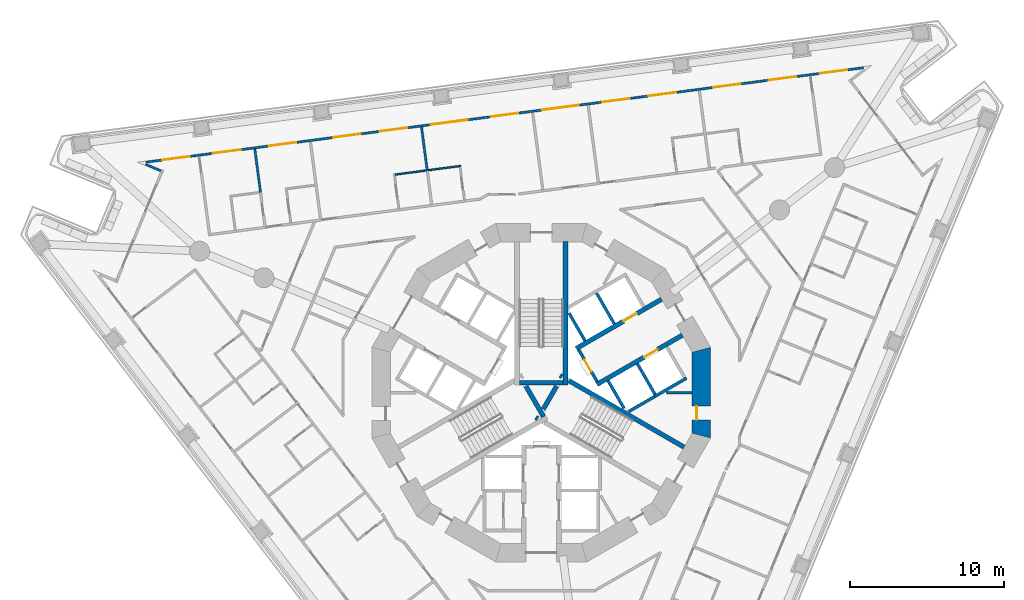
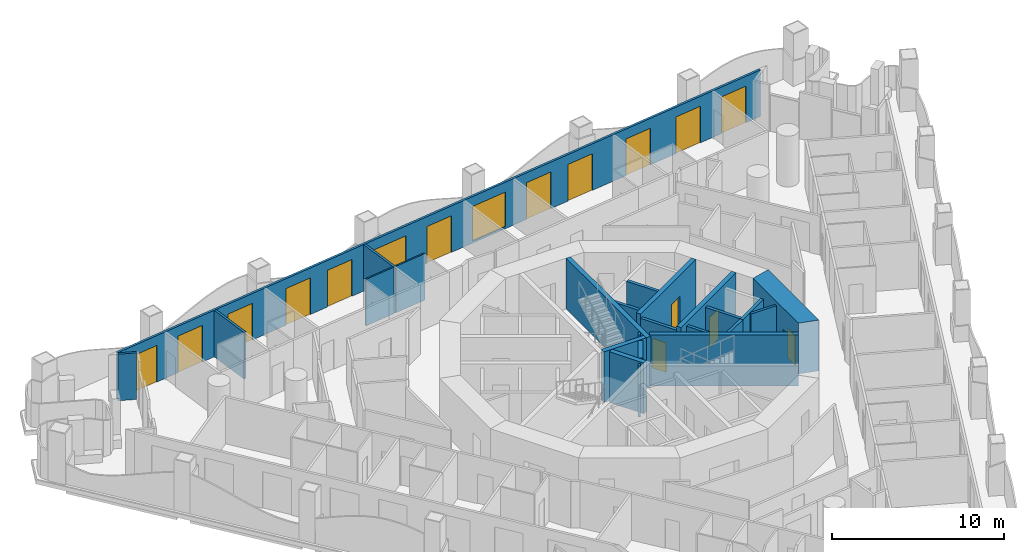
# One storey, part 8 of 19: 24 walls, 15 doors, 2 windows, 17 openings.
"""IFC4 building model written with IfcOpenShell, lengths in metres."""

from ifc_helpers import new_model, si_unit, direction, frame, frame_2d, origin, place, context, subcontext, project, spatial, polyline, rectangle, outline, extrude, material, layer, layer_set, type_object, element, fill, save


model = new_model("IFC4")

# Units and contexts
model_context = context("Model", 3, precision=1e-05, world=origin(), true_north=direction((0.0, 1.0)))
body_context = subcontext(model_context, "Body", "Model", "MODEL_VIEW")
ifc_project = project(units=[si_unit("LENGTHUNIT", "METRE"), si_unit("AREAUNIT", "SQUARE_METRE"), si_unit("VOLUMEUNIT", "CUBIC_METRE"), si_unit("PLANEANGLEUNIT", "RADIAN"), si_unit("MASSUNIT", "GRAM", prefix="KILO")], contexts=[model_context])

# Site, building, storey
site_placement = place(None, origin())
site = spatial("IfcSite", under=ifc_project, at=site_placement, CompositionType="ELEMENT")
building_placement = place(site_placement, origin())
building = spatial("IfcBuilding", under=site, at=building_placement, Name="Trine Commons Tower", CompositionType="ELEMENT")
storey_placement = place(building_placement, frame((0.0, 0.0, 64.800048828125)))
storey = spatial("IfcBuildingStorey", under=building, at=storey_placement, Name="L15", CompositionType="ELEMENT", Elevation=64.800048828125)

# Walls
ifc_material_1 = material(Name="Plasterboard partition on steel studs", Category="steel")
ifc_layer_1 = layer(ifc_material_1, 0.14990234375)
ifc_layer_set_1 = layer_set([ifc_layer_1], Name="Plasterboard partition on steel studs")
wall_type_1 = type_object("IfcWallType", Name="Core room partition 150 mm, EI 60", PredefinedType="PARTITIONING", material=ifc_layer_set_1)
wall_1_placement = place(storey_placement, frame((89.81201171875, 62.5, 0.0), z_axis=(0.0, 0.0, 1.0), x_axis=(-1.0, 0.0, 0.0)))
element("IfcWall", 1, at=wall_1_placement, inside=storey, type_object=wall_type_1, Name="Core room partition L15", PredefinedType="PARTITIONING", context=body_context, shape_type="SweptSolid", body=[
    extrude(rectangle(XDim=1.68310546875, YDim=0.14990234375, at=frame_2d((0.841552734375, 0.0))), origin(), (0.0, 0.0, 1.0), 3.300048828125),
])
ifc_material_2 = material(Name="Aluminium-framed insulated wall panel", Category="aluminium")
ifc_layer_2 = layer(ifc_material_2, 0.14990234375)
ifc_layer_set_2 = layer_set([ifc_layer_2], Name="Aluminium-framed insulated wall panel")
wall_type_2 = type_object("IfcWallType", Name="Glazed frame wall 150, EI 60", PredefinedType="SOLIDWALL", material=ifc_layer_set_2)
wall_2_placement = place(storey_placement, frame((55.376220703125, 76.883056640625, 0.0), z_axis=(0.0, 0.0, 1.0), x_axis=(-0.923901801611, 0.382629665579, 0.0)))
element("IfcWall", 2, at=wall_2_placement, inside=storey, type_object=wall_type_2, Name="Glazed frame wall R3", PredefinedType="SOLIDWALL", context=body_context, shape_type="SweptSolid", body=[
    extrude(outline(polyline([(0.110107421875, 0.074951171875), (0.110107421875, -0.074951171875), (1.19580078125, -0.074951171875), (1.19580078125, 0.074951171875), (0.110107421875, 0.074951171875)])), origin(), (0.0, 0.0, 1.0), 3.300048828125),
])

# Wall, openings, windows, doors
wall_3_placement = place(storey_placement, frame((54.142333984375, 77.464599609375, 0.0), z_axis=(0.0, 0.0, 1.0), x_axis=(0.991444696532, 0.130527444308, 0.0)))
wall_3 = element("IfcWall", 3, at=wall_3_placement, inside=storey, type_object=wall_type_2, Name="Glazed frame wall F1", PredefinedType="SOLIDWALL", context=body_context, shape_type="SweptSolid", body=[
    extrude(outline(polyline([(0.1494140625, 0.074951171875), (0.1494140625, -0.074951171875), (47.216796875, -0.074951171875), (47.216796875, 0.074951171875), (0.1494140625, 0.074951171875)])), origin(), (0.0, 0.0, 1.0), 3.300048828125),
])
opening_1_placement = place(wall_3_placement, frame((1.2216796875, 0.0, 0.0)))
opening_1 = element("IfcOpeningElement", 4, at=opening_1_placement, cuts=wall_3, Name="Opening BD-2F1-01", PredefinedType="OPENING", context=body_context, shape_type="SweptSolid", body=[
    extrude(rectangle(XDim=1.800048828125, YDim=2.60009765625, at=frame_2d((0.89990234375, 1.300048828125))), frame((0.0, 0.0849609375, 0.0), z_axis=(0.0, -1.0, 0.0), x_axis=(1.0, 0.0, 0.0)), (0.0, 0.0, 1.0), 0.169921875),
])
opening_2_placement = place(wall_3_placement, frame((4.5654296875, 0.0, 0.0)))
opening_2 = element("IfcOpeningElement", 5, at=opening_2_placement, cuts=wall_3, Name="Opening BD-2F1-02", PredefinedType="OPENING", context=body_context, shape_type="SweptSolid", body=[
    extrude(rectangle(XDim=1.800048828125, YDim=2.60009765625, at=frame_2d((0.89990234375, 1.300048828125))), frame((0.0, 0.0849609375, 0.0), z_axis=(0.0, -1.0, 0.0), x_axis=(1.0, 0.0, 0.0)), (0.0, 0.0, 1.0), 0.169921875),
])
opening_3_placement = place(wall_3_placement, frame((8.208984375, 0.0, 0.0)))
opening_3 = element("IfcOpeningElement", 6, at=opening_3_placement, cuts=wall_3, Name="Opening BD-2F1-03", PredefinedType="OPENING", context=body_context, shape_type="SweptSolid", body=[
    extrude(rectangle(XDim=1.800048828125, YDim=2.60009765625, at=frame_2d((0.89990234375, 1.300048828125))), frame((0.0, 0.0849609375, 0.0), z_axis=(0.0, -1.0, 0.0), x_axis=(1.0, 0.0, 0.0)), (0.0, 0.0, 1.0), 0.169921875),
])
opening_4_placement = place(wall_3_placement, frame((12.45263671875, 0.0, 0.0)))
opening_4 = element("IfcOpeningElement", 7, at=opening_4_placement, cuts=wall_3, Name="Opening BD-2F1-04", PredefinedType="OPENING", context=body_context, shape_type="SweptSolid", body=[
    extrude(rectangle(XDim=1.800048828125, YDim=2.60009765625, at=frame_2d((0.89990234375, 1.300048828125))), frame((0.0, 0.0849609375, 0.0), z_axis=(0.0, -1.0, 0.0), x_axis=(1.0, 0.0, 0.0)), (0.0, 0.0, 1.0), 0.169921875),
])
opening_5_placement = place(wall_3_placement, frame((15.49609375, 0.0, 0.0)))
opening_5 = element("IfcOpeningElement", 8, at=opening_5_placement, cuts=wall_3, Name="Opening BD-2F1-05", PredefinedType="OPENING", context=body_context, shape_type="SweptSolid", body=[
    extrude(rectangle(XDim=1.800048828125, YDim=2.60009765625, at=frame_2d((0.89990234375, 1.300048828125))), frame((0.0, 0.0849609375, 0.0), z_axis=(0.0, -1.0, 0.0), x_axis=(1.0, 0.0, 0.0)), (0.0, 0.0, 1.0), 0.169921875),
])
opening_6_placement = place(wall_3_placement, frame((18.83984375, 0.0, 0.14990234375)))
opening_6 = element("IfcOpeningElement", 9, at=opening_6_placement, cuts=wall_3, Name="Opening W-2F1-06", PredefinedType="OPENING", context=body_context, shape_type="SweptSolid", body=[
    extrude(rectangle(XDim=2.39990234375, YDim=2.449951171875, at=frame_2d((1.199951171875, 1.22509765625))), frame((0.0, 0.0849609375, 0.0), z_axis=(0.0, -1.0, 0.0), x_axis=(1.0, 0.0, 0.0)), (0.0, 0.0, 1.0), 0.169921875),
])
opening_7_placement = place(wall_3_placement, frame((22.783447265625, 0.0, 0.0)))
opening_7 = element("IfcOpeningElement", 10, at=opening_7_placement, cuts=wall_3, Name="Opening BD-2F1-07", PredefinedType="OPENING", context=body_context, shape_type="SweptSolid", body=[
    extrude(rectangle(XDim=1.800048828125, YDim=2.60009765625, at=frame_2d((0.89990234375, 1.300048828125))), frame((0.0, 0.0849609375, 0.0), z_axis=(0.0, -1.0, 0.0), x_axis=(1.0, 0.0, 0.0)), (0.0, 0.0, 1.0), 0.169921875),
])
opening_8_placement = place(wall_3_placement, frame((26.126953125, 0.0, 0.14990234375)))
opening_8 = element("IfcOpeningElement", 11, at=opening_8_placement, cuts=wall_3, Name="Opening W-2F1-08", PredefinedType="OPENING", context=body_context, shape_type="SweptSolid", body=[
    extrude(rectangle(XDim=2.39990234375, YDim=2.449951171875, at=frame_2d((1.199951171875, 1.22509765625))), frame((0.0, 0.0849609375, 0.0), z_axis=(0.0, -1.0, 0.0), x_axis=(1.0, 0.0, 0.0)), (0.0, 0.0, 1.0), 0.169921875),
])
opening_9_placement = place(wall_3_placement, frame((30.070556640625, 0.0, 0.0)))
opening_9 = element("IfcOpeningElement", 12, at=opening_9_placement, cuts=wall_3, Name="Opening BD-2F1-09", PredefinedType="OPENING", context=body_context, shape_type="SweptSolid", body=[
    extrude(rectangle(XDim=1.800048828125, YDim=2.60009765625, at=frame_2d((0.89990234375, 1.300048828125))), frame((0.0, 0.0849609375, 0.0), z_axis=(0.0, -1.0, 0.0), x_axis=(1.0, 0.0, 0.0)), (0.0, 0.0, 1.0), 0.169921875),
])
opening_10_placement = place(wall_3_placement, frame((33.1142578125, 0.0, 0.0)))
opening_10 = element("IfcOpeningElement", 13, at=opening_10_placement, cuts=wall_3, Name="Opening BD-2F1-10", PredefinedType="OPENING", context=body_context, shape_type="SweptSolid", body=[
    extrude(rectangle(XDim=1.800048828125, YDim=2.60009765625, at=frame_2d((0.89990234375, 1.300048828125))), frame((0.0, 0.0849609375, 0.0), z_axis=(0.0, -1.0, 0.0), x_axis=(1.0, 0.0, 0.0)), (0.0, 0.0, 1.0), 0.169921875),
])
opening_11_placement = place(wall_3_placement, frame((37.35791015625, 0.0, 0.0)))
opening_11 = element("IfcOpeningElement", 14, at=opening_11_placement, cuts=wall_3, Name="Opening BD-2F1-11", PredefinedType="OPENING", context=body_context, shape_type="SweptSolid", body=[
    extrude(rectangle(XDim=1.800048828125, YDim=2.60009765625, at=frame_2d((0.89990234375, 1.300048828125))), frame((0.0, 0.0849609375, 0.0), z_axis=(0.0, -1.0, 0.0), x_axis=(1.0, 0.0, 0.0)), (0.0, 0.0, 1.0), 0.169921875),
])
opening_12_placement = place(wall_3_placement, frame((41.00146484375, 0.0, 0.0)))
opening_12 = element("IfcOpeningElement", 15, at=opening_12_placement, cuts=wall_3, Name="Opening BD-2F1-12", PredefinedType="OPENING", context=body_context, shape_type="SweptSolid", body=[
    extrude(rectangle(XDim=1.800048828125, YDim=2.60009765625, at=frame_2d((0.89990234375, 1.300048828125))), frame((0.0, 0.0849609375, 0.0), z_axis=(0.0, -1.0, 0.0), x_axis=(1.0, 0.0, 0.0)), (0.0, 0.0, 1.0), 0.169921875),
])
opening_13_placement = place(wall_3_placement, frame((44.344970703125, 0.0, 0.0)))
opening_13 = element("IfcOpeningElement", 16, at=opening_13_placement, cuts=wall_3, Name="Opening BD-2F1-13", PredefinedType="OPENING", context=body_context, shape_type="SweptSolid", body=[
    extrude(rectangle(XDim=1.800048828125, YDim=2.60009765625, at=frame_2d((0.89990234375, 1.300048828125))), frame((0.0, 0.0849609375, 0.0), z_axis=(0.0, -1.0, 0.0), x_axis=(1.0, 0.0, 0.0)), (0.0, 0.0, 1.0), 0.169921875),
])
ifc_material_3 = material(Name="Anodised aluminium frame with double glazing", Category="aluminium")
window_type = type_object("IfcWindowType", Name="Fixed window 2400x2450", PartitioningType="SINGLE_PANEL", PredefinedType="WINDOW", material=ifc_material_3)
window_1_placement = place(opening_6_placement, origin())
window_1 = element("IfcWindow", 17, at=window_1_placement, inside=storey, type_object=window_type, Name="Window F1 6", OverallHeight=2.449951171875, OverallWidth=2.39990234375, PartitioningType="SINGLE_PANEL", PredefinedType="WINDOW", context=body_context, shape_type="SweptSolid", body=[
    extrude(rectangle(XDim=2.39990234375, YDim=2.449951171875, at=frame_2d((1.199951171875, 1.22509765625))), frame((0.0, 0.030029296875, 0.0), z_axis=(0.0, -1.0, 0.0), x_axis=(1.0, 0.0, 0.0)), (0.0, 0.0, 1.0), 0.06005859375),
])
fill(opening_6, window_1)
window_2_placement = place(opening_8_placement, origin())
window_2 = element("IfcWindow", 18, at=window_2_placement, inside=storey, type_object=window_type, Name="Window F1 8", OverallHeight=2.449951171875, OverallWidth=2.39990234375, PartitioningType="SINGLE_PANEL", PredefinedType="WINDOW", context=body_context, shape_type="SweptSolid", body=[
    extrude(rectangle(XDim=2.39990234375, YDim=2.449951171875, at=frame_2d((1.199951171875, 1.22509765625))), frame((0.0, 0.030029296875, 0.0), z_axis=(0.0, -1.0, 0.0), x_axis=(1.0, 0.0, 0.0)), (0.0, 0.0, 1.0), 0.06005859375),
])
fill(opening_8, window_2)
door_type_1 = type_object("IfcDoorType", Name="Sliding loggia door 1800x2600", OperationType="SLIDING_TO_LEFT", PredefinedType="DOOR", material=ifc_material_3)
door_1_placement = place(opening_1_placement, origin())
door_1 = element("IfcDoor", 19, at=door_1_placement, inside=storey, type_object=door_type_1, Name="Loggia door F1 1", OperationType="SLIDING_TO_LEFT", OverallHeight=2.60009765625, OverallWidth=1.800048828125, PredefinedType="DOOR", context=body_context, shape_type="SweptSolid", body=[
    extrude(rectangle(XDim=1.800048828125, YDim=2.60009765625, at=frame_2d((0.89990234375, 1.300048828125))), frame((0.0, 0.02490234375, 0.0), z_axis=(0.0, -1.0, 0.0), x_axis=(1.0, 0.0, 0.0)), (0.0, 0.0, 1.0), 0.050048828125),
])
fill(opening_1, door_1)
door_2_placement = place(opening_2_placement, origin())
door_2 = element("IfcDoor", 20, at=door_2_placement, inside=storey, type_object=door_type_1, Name="Loggia door F1 2", OperationType="SLIDING_TO_LEFT", OverallHeight=2.60009765625, OverallWidth=1.800048828125, PredefinedType="DOOR", context=body_context, shape_type="SweptSolid", body=[
    extrude(rectangle(XDim=1.800048828125, YDim=2.60009765625, at=frame_2d((0.89990234375, 1.300048828125))), frame((0.0, 0.02490234375, 0.0), z_axis=(0.0, -1.0, 0.0), x_axis=(1.0, 0.0, 0.0)), (0.0, 0.0, 1.0), 0.050048828125),
])
fill(opening_2, door_2)
door_3_placement = place(opening_3_placement, origin())
door_3 = element("IfcDoor", 21, at=door_3_placement, inside=storey, type_object=door_type_1, Name="Loggia door F1 3", OperationType="SLIDING_TO_LEFT", OverallHeight=2.60009765625, OverallWidth=1.800048828125, PredefinedType="DOOR", context=body_context, shape_type="SweptSolid", body=[
    extrude(rectangle(XDim=1.800048828125, YDim=2.60009765625, at=frame_2d((0.89990234375, 1.300048828125))), frame((0.0, 0.02490234375, 0.0), z_axis=(0.0, -1.0, 0.0), x_axis=(1.0, 0.0, 0.0)), (0.0, 0.0, 1.0), 0.050048828125),
])
fill(opening_3, door_3)
door_4_placement = place(opening_4_placement, origin())
door_4 = element("IfcDoor", 22, at=door_4_placement, inside=storey, type_object=door_type_1, Name="Loggia door F1 4", OperationType="SLIDING_TO_LEFT", OverallHeight=2.60009765625, OverallWidth=1.800048828125, PredefinedType="DOOR", context=body_context, shape_type="SweptSolid", body=[
    extrude(rectangle(XDim=1.800048828125, YDim=2.60009765625, at=frame_2d((0.89990234375, 1.300048828125))), frame((0.0, 0.02490234375, 0.0), z_axis=(0.0, -1.0, 0.0), x_axis=(1.0, 0.0, 0.0)), (0.0, 0.0, 1.0), 0.050048828125),
])
fill(opening_4, door_4)
door_5_placement = place(opening_5_placement, origin())
door_5 = element("IfcDoor", 23, at=door_5_placement, inside=storey, type_object=door_type_1, Name="Loggia door F1 5", OperationType="SLIDING_TO_LEFT", OverallHeight=2.60009765625, OverallWidth=1.800048828125, PredefinedType="DOOR", context=body_context, shape_type="SweptSolid", body=[
    extrude(rectangle(XDim=1.800048828125, YDim=2.60009765625, at=frame_2d((0.89990234375, 1.300048828125))), frame((0.0, 0.02490234375, 0.0), z_axis=(0.0, -1.0, 0.0), x_axis=(1.0, 0.0, 0.0)), (0.0, 0.0, 1.0), 0.050048828125),
])
fill(opening_5, door_5)
door_6_placement = place(opening_7_placement, origin())
door_6 = element("IfcDoor", 24, at=door_6_placement, inside=storey, type_object=door_type_1, Name="Loggia door F1 7", OperationType="SLIDING_TO_LEFT", OverallHeight=2.60009765625, OverallWidth=1.800048828125, PredefinedType="DOOR", context=body_context, shape_type="SweptSolid", body=[
    extrude(rectangle(XDim=1.800048828125, YDim=2.60009765625, at=frame_2d((0.89990234375, 1.300048828125))), frame((0.0, 0.02490234375, 0.0), z_axis=(0.0, -1.0, 0.0), x_axis=(1.0, 0.0, 0.0)), (0.0, 0.0, 1.0), 0.050048828125),
])
fill(opening_7, door_6)
door_7_placement = place(opening_9_placement, origin())
door_7 = element("IfcDoor", 25, at=door_7_placement, inside=storey, type_object=door_type_1, Name="Loggia door F1 9", OperationType="SLIDING_TO_LEFT", OverallHeight=2.60009765625, OverallWidth=1.800048828125, PredefinedType="DOOR", context=body_context, shape_type="SweptSolid", body=[
    extrude(rectangle(XDim=1.800048828125, YDim=2.60009765625, at=frame_2d((0.89990234375, 1.300048828125))), frame((0.0, 0.02490234375, 0.0), z_axis=(0.0, -1.0, 0.0), x_axis=(1.0, 0.0, 0.0)), (0.0, 0.0, 1.0), 0.050048828125),
])
fill(opening_9, door_7)
door_8_placement = place(opening_10_placement, origin())
door_8 = element("IfcDoor", 26, at=door_8_placement, inside=storey, type_object=door_type_1, Name="Loggia door F1 10", OperationType="SLIDING_TO_LEFT", OverallHeight=2.60009765625, OverallWidth=1.800048828125, PredefinedType="DOOR", context=body_context, shape_type="SweptSolid", body=[
    extrude(rectangle(XDim=1.800048828125, YDim=2.60009765625, at=frame_2d((0.89990234375, 1.300048828125))), frame((0.0, 0.02490234375, 0.0), z_axis=(0.0, -1.0, 0.0), x_axis=(1.0, 0.0, 0.0)), (0.0, 0.0, 1.0), 0.050048828125),
])
fill(opening_10, door_8)
door_9_placement = place(opening_11_placement, origin())
door_9 = element("IfcDoor", 27, at=door_9_placement, inside=storey, type_object=door_type_1, Name="Loggia door F1 11", OperationType="SLIDING_TO_LEFT", OverallHeight=2.60009765625, OverallWidth=1.800048828125, PredefinedType="DOOR", context=body_context, shape_type="SweptSolid", body=[
    extrude(rectangle(XDim=1.800048828125, YDim=2.60009765625, at=frame_2d((0.89990234375, 1.300048828125))), frame((0.0, 0.02490234375, 0.0), z_axis=(0.0, -1.0, 0.0), x_axis=(1.0, 0.0, 0.0)), (0.0, 0.0, 1.0), 0.050048828125),
])
fill(opening_11, door_9)
door_10_placement = place(opening_12_placement, origin())
door_10 = element("IfcDoor", 28, at=door_10_placement, inside=storey, type_object=door_type_1, Name="Loggia door F1 12", OperationType="SLIDING_TO_LEFT", OverallHeight=2.60009765625, OverallWidth=1.800048828125, PredefinedType="DOOR", context=body_context, shape_type="SweptSolid", body=[
    extrude(rectangle(XDim=1.800048828125, YDim=2.60009765625, at=frame_2d((0.89990234375, 1.300048828125))), frame((0.0, 0.02490234375, 0.0), z_axis=(0.0, -1.0, 0.0), x_axis=(1.0, 0.0, 0.0)), (0.0, 0.0, 1.0), 0.050048828125),
])
fill(opening_12, door_10)
door_11_placement = place(opening_13_placement, origin())
door_11 = element("IfcDoor", 29, at=door_11_placement, inside=storey, type_object=door_type_1, Name="Loggia door F1 13", OperationType="SLIDING_TO_LEFT", OverallHeight=2.60009765625, OverallWidth=1.800048828125, PredefinedType="DOOR", context=body_context, shape_type="SweptSolid", body=[
    extrude(rectangle(XDim=1.800048828125, YDim=2.60009765625, at=frame_2d((0.89990234375, 1.300048828125))), frame((0.0, 0.02490234375, 0.0), z_axis=(0.0, -1.0, 0.0), x_axis=(1.0, 0.0, 0.0)), (0.0, 0.0, 1.0), 0.050048828125),
])
fill(opening_13, door_11)

# Wall, opening, door
ifc_material_4 = material(Name="Fire-rated gypsum shaft wall system")
ifc_layer_3 = layer(ifc_material_4, 0.199951171875)
ifc_layer_set_3 = layer_set([ifc_layer_3], Name="Fire-rated gypsum shaft wall system")
wall_type_3 = type_object("IfcWallType", Name="Lobby end wall 200 mm, EI 120", PredefinedType="PARTITIONING", material=ifc_layer_set_3)
wall_4_placement = place(storey_placement, frame((83.631103515625, 63.2109375, 0.0), z_axis=(0.0, 0.0, 1.0), x_axis=(-0.50012165622, 0.865955154139, 0.0)))
wall_4 = element("IfcWall", 30, at=wall_4_placement, inside=storey, type_object=wall_type_3, Name="Lobby end wall L15", PredefinedType="PARTITIONING", context=body_context, shape_type="SweptSolid", body=[
    extrude(rectangle(XDim=2.39990234375, YDim=0.199951171875, at=frame_2d((1.199951171875, 0.0))), origin(), (0.0, 0.0, 1.0), 3.300048828125),
])
opening_14_placement = place(wall_4_placement, frame((0.749755859375, 0.0, 0.0)))
opening_14 = element("IfcOpeningElement", 31, at=opening_14_placement, cuts=wall_4, Name="Opening K06.05", PredefinedType="OPENING", context=body_context, shape_type="SweptSolid", body=[
    extrude(rectangle(XDim=0.89990234375, YDim=2.10009765625, at=frame_2d((0.449951171875, 1.050048828125))), frame((0.0, 0.10986328125, 0.0), z_axis=(0.0, -1.0, 0.0), x_axis=(1.0, 0.0, 0.0)), (0.0, 0.0, 1.0), 0.219970703125),
])
ifc_material_5 = material(Name="Steel door leaf, fire-rated", Category="steel")
door_type_2 = type_object("IfcDoorType", Name="Riser access door, single leaf 900 x 2100, FD60", OperationType="SINGLE_SWING_LEFT", PredefinedType="DOOR", material=ifc_material_5)
door_12_placement = place(opening_14_placement, frame((0.89990234375, 0.0, 0.0), z_axis=(0.0, 0.0, 1.0), x_axis=(-1.0, 0.0, 0.0)))
door_12 = element("IfcDoor", 32, at=door_12_placement, inside=storey, type_object=door_type_2, Name="Riser door, Electrical riser L15", OperationType="SINGLE_SWING_LEFT", OverallHeight=2.10009765625, OverallWidth=0.89990234375, PredefinedType="DOOR", context=body_context, shape_type="SweptSolid", body=[
    extrude(rectangle(XDim=0.89990234375, YDim=2.10009765625, at=frame_2d((0.449951171875, 1.050048828125))), frame((0.0, 0.02490234375, 0.0), z_axis=(0.0, -1.0, 0.0), x_axis=(1.0, 0.0, 0.0)), (0.0, 0.0, 1.0), 0.050048828125),
])
fill(opening_14, door_12)

ifc_material_6 = material(Name="Concrete C80/95", Category="concrete")
ifc_layer_4 = layer(ifc_material_6, 1.199951171875)
ifc_layer_set_4 = layer_set([ifc_layer_4], Name="Concrete C80/95")
wall_type_4 = type_object("IfcWallType", Name="RC shear wall 1200 mm, C80/95", PredefinedType="SHEAR", material=ifc_layer_set_4)
wall_5_placement = place(storey_placement, frame((90.41162109375, 59.549560546875, 0.0), z_axis=(0.0, 0.0, 1.0), x_axis=(0.0, 1.0, 0.0)))
wall_5 = element("IfcWall", 33, at=wall_5_placement, inside=storey, type_object=wall_type_4, Name="Core wall CWB-01 L15", PredefinedType="SHEAR", context=body_context, shape_type="SweptSolid", body=[
    extrude(outline(polyline([(0.0, -0.60009765625), (5.90087890625, -0.60009765625), (5.57958984375, 0.60009765625), (0.321533203125, 0.60009765625), (0.0, -0.60009765625)])), origin(), (0.0, 0.0, 1.0), 3.599853515625),
])
opening_15_placement = place(wall_5_placement, frame((1.175537109375, 0.0, 0.0)))
opening_15 = element("IfcOpeningElement", 34, at=opening_15_placement, cuts=wall_5, Name="Opening K06.17", PredefinedType="OPENING", context=body_context, shape_type="SweptSolid", body=[
    extrude(rectangle(XDim=0.89990234375, YDim=2.10009765625, at=frame_2d((0.449951171875, 1.050048828125))), frame((0.0, 0.60986328125, 0.0), z_axis=(0.0, -1.0, 0.0), x_axis=(1.0, 0.0, 0.0)), (0.0, 0.0, 1.0), 1.219970703125),
])
door_type_3 = type_object("IfcDoorType", Name="Core room door, single leaf 900 x 2100, FD30S", OperationType="SINGLE_SWING_LEFT", PredefinedType="DOOR", material=ifc_material_5)
door_13_placement = place(opening_15_placement, origin())
door_13 = element("IfcDoor", 35, at=door_13_placement, inside=storey, type_object=door_type_3, Name="Door to Linen store L15", OperationType="SINGLE_SWING_LEFT", OverallHeight=2.10009765625, OverallWidth=0.89990234375, PredefinedType="DOOR", context=body_context, shape_type="SweptSolid", body=[
    extrude(rectangle(XDim=0.89990234375, YDim=2.10009765625, at=frame_2d((0.449951171875, 1.050048828125))), frame((0.0, 0.3251953125, 0.0), z_axis=(0.0, -1.0, 0.0), x_axis=(1.0, 0.0, 0.0)), (0.0, 0.0, 1.0), 0.050048828125),
])
fill(opening_15, door_13)

ifc_layer_5 = layer(ifc_material_6, 0.300048828125)
ifc_layer_set_5 = layer_set([ifc_layer_5], Name="Concrete C80/95")
wall_type_5 = type_object("IfcWallType", Name="RC shear wall 300 mm, C80/95", PredefinedType="SHEAR", material=ifc_layer_set_5)
wall_6_placement = place(storey_placement, frame((82.26904296875, 65.368896484375, 0.0), z_axis=(0.0, 0.0, 1.0), x_axis=(0.866022631842, 0.500004801114, 0.0)))
wall_6 = element("IfcWall", 36, at=wall_6_placement, inside=storey, type_object=wall_type_5, Name="Core cross wall SWA-05 L15", PredefinedType="SHEAR", context=body_context, shape_type="SweptSolid", body=[
    extrude(rectangle(XDim=6.412109375, YDim=0.300048828125, at=frame_2d((3.2060546875, 0.0))), origin(), (0.0, 0.0, 1.0), 3.599853515625),
])
opening_16_placement = place(wall_6_placement, frame((3.55029296875, 0.0, 0.0)))
opening_16 = element("IfcOpeningElement", 37, at=opening_16_placement, cuts=wall_6, Name="Opening LD1", PredefinedType="OPENING", context=body_context, shape_type="SweptSolid", body=[
    extrude(rectangle(XDim=1.0, YDim=2.10009765625, at=frame_2d((0.5, 1.050048828125))), frame((0.0, 0.159912109375, 0.0), z_axis=(0.0, -1.0, 0.0), x_axis=(1.0, 0.0, 0.0)), (0.0, 0.0, 1.0), 0.320068359375),
])
ifc_material_7 = material(Name="Stainless steel sliding door leaves", Category="steel")
door_type_4 = type_object("IfcDoorType", Name="Lift landing door, centre-opening sliding 1000 x 2100, FD90", OperationType="DOUBLE_DOOR_SLIDING", PredefinedType="DOOR", material=ifc_material_7)
door_14_placement = place(opening_16_placement, origin())
door_14 = element("IfcDoor", 38, at=door_14_placement, inside=storey, type_object=door_type_4, Name="Lift landing door LR1 L15", OperationType="DOUBLE_DOOR_SLIDING", OverallHeight=2.10009765625, OverallWidth=1.0, PredefinedType="DOOR", context=body_context, shape_type="SweptSolid", body=[
    extrude(rectangle(XDim=1.0, YDim=2.10009765625, at=frame_2d((0.5, 1.050048828125))), frame((0.0, 0.02490234375, 0.0), z_axis=(0.0, -1.0, 0.0), x_axis=(1.0, 0.0, 0.0)), (0.0, 0.0, 1.0), 0.050048828125),
])
fill(opening_16, door_14)

wall_7_placement = place(storey_placement, frame((83.618896484375, 63.031005859375, 0.0), z_axis=(0.0, 0.0, 1.0), x_axis=(0.866032150378, 0.499988314375, 0.0)))
wall_7 = element("IfcWall", 39, at=wall_7_placement, inside=storey, type_object=wall_type_5, Name="Core cross wall SWA-06 L15", PredefinedType="SHEAR", context=body_context, shape_type="SweptSolid", body=[
    extrude(rectangle(XDim=6.412353515625, YDim=0.300048828125, at=frame_2d((3.2060546875, 0.0))), origin(), (0.0, 0.0, 1.0), 3.599853515625),
])
opening_17_placement = place(wall_7_placement, frame((3.55029296875, 0.0, 0.0)))
opening_17 = element("IfcOpeningElement", 40, at=opening_17_placement, cuts=wall_7, Name="Opening LD2", PredefinedType="OPENING", context=body_context, shape_type="SweptSolid", body=[
    extrude(rectangle(XDim=1.0, YDim=2.10009765625, at=frame_2d((0.5, 1.050048828125))), frame((0.0, 0.159912109375, 0.0), z_axis=(0.0, -1.0, 0.0), x_axis=(1.0, 0.0, 0.0)), (0.0, 0.0, 1.0), 0.320068359375),
])
door_15_placement = place(opening_17_placement, origin())
door_15 = element("IfcDoor", 41, at=door_15_placement, inside=storey, type_object=door_type_4, Name="Lift landing door LR2 L15", OperationType="DOUBLE_DOOR_SLIDING", OverallHeight=2.10009765625, OverallWidth=1.0, PredefinedType="DOOR", context=body_context, shape_type="SweptSolid", body=[
    extrude(rectangle(XDim=1.0, YDim=2.10009765625, at=frame_2d((0.5, 1.050048828125))), frame((0.0, 0.02490234375, 0.0), z_axis=(0.0, -1.0, 0.0), x_axis=(1.0, 0.0, 0.0)), (0.0, 0.0, 1.0), 0.050048828125),
])
fill(opening_17, door_15)

# Walls
wall_8_placement = place(storey_placement, frame((79.0029296875, 62.926025390625, 0.0), z_axis=(0.0, 0.0, 1.0), x_axis=(0.499965247104, -0.866045467449, 0.0)))
element("IfcWall", 42, at=wall_8_placement, inside=storey, type_object=wall_type_5, Name="Core cross wall SWA-10 L15", PredefinedType="SHEAR", context=body_context, shape_type="SweptSolid", body=[
    extrude(rectangle(XDim=2.292236328125, YDim=0.300048828125, at=frame_2d((1.14599609375, 0.0))), origin(), (0.0, 0.0, 1.0), 3.599853515625),
])
wall_9_placement = place(storey_placement, frame((79.64599609375, 60.885986328125, 0.0), z_axis=(0.0, 0.0, 1.0), x_axis=(0.867331893649, -0.497730234424, 0.0)))
element("IfcWall", 43, at=wall_9_placement, inside=storey, type_object=wall_type_5, Name="Core cross wall SWA-11 L15", PredefinedType="SHEAR", context=body_context, shape_type="SweptSolid", body=[
    extrude(rectangle(XDim=0.148681640625, YDim=0.300048828125, at=frame_2d((0.07421875, 0.0))), origin(), (0.0, 0.0, 1.0), 3.599853515625),
])
wall_10_placement = place(storey_placement, frame((80.1298828125, 61.424072265625, 0.0), z_axis=(0.0, 0.0, 1.0), x_axis=(0.500014901547, 0.866016800201, 0.0)))
element("IfcWall", 44, at=wall_10_placement, inside=storey, type_object=wall_type_5, Name="Core cross wall SWA-12 L15", PredefinedType="SHEAR", context=body_context, shape_type="SweptSolid", body=[
    extrude(rectangle(XDim=1.734375, YDim=0.300048828125, at=frame_2d((0.8671875, 0.0))), origin(), (0.0, 0.0, 1.0), 3.599853515625),
])
wall_11_placement = place(storey_placement, frame((81.220947265625, 63.614013671875, 0.0), z_axis=(0.0, 0.0, 1.0), x_axis=(0.867737973955, -0.497021939713, 0.0)))
element("IfcWall", 45, at=wall_11_placement, inside=storey, type_object=wall_type_5, Name="Core cross wall SWA-15 L15", PredefinedType="SHEAR", context=body_context, shape_type="SweptSolid", body=[
    extrude(rectangle(XDim=0.14892578125, YDim=0.300048828125, at=frame_2d((0.074462890625, 0.0))), origin(), (0.0, 0.0, 1.0), 3.599853515625),
])
wall_12_placement = place(storey_placement, frame((81.425048828125, 63.15087890625, 0.0), z_axis=(0.0, 0.0, 1.0), x_axis=(-1.0, 0.0, 0.0)))
element("IfcWall", 46, at=wall_12_placement, inside=storey, type_object=wall_type_5, Name="Core cross wall SWA-16 L15", PredefinedType="SHEAR", context=body_context, shape_type="SweptSolid", body=[
    extrude(rectangle(XDim=2.85009765625, YDim=0.300048828125, at=frame_2d((1.425048828125, 0.0))), origin(), (0.0, 0.0, 1.0), 3.599853515625),
])
wall_13_placement = place(storey_placement, frame((81.574951171875, 63.0009765625, 0.0), z_axis=(0.0, 0.0, 1.0), x_axis=(0.0, 1.0, 0.0)))
element("IfcWall", 47, at=wall_13_placement, inside=storey, type_object=wall_type_5, Name="Core cross wall SWA-17 L15", PredefinedType="SHEAR", context=body_context, shape_type="SweptSolid", body=[
    extrude(rectangle(XDim=9.31103515625, YDim=0.300048828125, at=frame_2d((4.655517578125, 0.0))), origin(), (0.0, 0.0, 1.0), 3.599853515625),
])
wall_14_placement = place(storey_placement, frame((81.800048828125, 63.280029296875, 0.0), z_axis=(0.0, 0.0, 1.0), x_axis=(0.865965399159, -0.500103916661, 0.0)))
element("IfcWall", 48, at=wall_14_placement, inside=storey, type_object=wall_type_5, Name="Core cross wall SWA-18 L15", PredefinedType="SHEAR", context=body_context, shape_type="SweptSolid", body=[
    extrude(rectangle(XDim=8.642333984375, YDim=0.300048828125, at=frame_2d((4.3212890625, 0.0))), origin(), (0.0, 0.0, 1.0), 3.599853515625),
])
ifc_layer_6 = layer(ifc_material_4, 0.199951171875)
ifc_layer_set_6 = layer_set([ifc_layer_6], Name="Fire-rated gypsum shaft wall system")
wall_type_6 = type_object("IfcWallType", Name="Shaft wall 200 mm, EI 120", PredefinedType="PARTITIONING", material=ifc_layer_set_6)
wall_15_placement = place(storey_placement, frame((82.843994140625, 65.8740234375, 0.0), z_axis=(0.0, 0.0, 1.0), x_axis=(-0.499865770674, 0.866102887253, 0.0)))
element("IfcWall", 49, at=wall_15_placement, inside=storey, type_object=wall_type_6, Name="Shaft wall L15", PredefinedType="PARTITIONING", context=body_context, shape_type="SweptSolid", body=[
    extrude(rectangle(XDim=2.064453125, YDim=0.199951171875, at=frame_2d((1.0322265625, 0.0))), origin(), (0.0, 0.0, 1.0), 3.300048828125),
])
wall_16_placement = place(storey_placement, frame((84.343994140625, 63.27587890625, 0.0), z_axis=(0.0, 0.0, 1.0), x_axis=(0.500271688072, -0.86586848777, 0.0)))
element("IfcWall", 50, at=wall_16_placement, inside=storey, type_object=wall_type_6, Name="Shaft wall L15", PredefinedType="PARTITIONING", context=body_context, shape_type="SweptSolid", body=[
    extrude(rectangle(XDim=2.064697265625, YDim=0.199951171875, at=frame_2d((1.0322265625, 0.0))), origin(), (0.0, 0.0, 1.0), 3.300048828125),
])
wall_17_placement = place(storey_placement, frame((84.7490234375, 66.97412109375, 0.0), z_axis=(0.0, 0.0, 1.0), x_axis=(-0.500136062276, 0.86594683394, 0.0)))
element("IfcWall", 51, at=wall_17_placement, inside=storey, type_object=wall_type_6, Name="Shaft wall L15", PredefinedType="PARTITIONING", context=body_context, shape_type="SweptSolid", body=[
    extrude(rectangle(XDim=2.299072265625, YDim=0.199951171875, at=frame_2d((1.1494140625, 0.0))), origin(), (0.0, 0.0, 1.0), 3.300048828125),
])
wall_18_placement = place(storey_placement, frame((85.675048828125, 61.27294921875, 0.0), z_axis=(0.0, 0.0, 1.0), x_axis=(0.865780634835, 0.500423712812, 0.0)))
element("IfcWall", 52, at=wall_18_placement, inside=storey, type_object=wall_type_6, Name="Shaft wall L15", PredefinedType="PARTITIONING", context=body_context, shape_type="SweptSolid", body=[
    extrude(rectangle(XDim=1.948486328125, YDim=0.199951171875, at=frame_2d((0.97412109375, 0.0))), origin(), (0.0, 0.0, 1.0), 3.300048828125),
])
wall_19_placement = place(storey_placement, frame((86.2490234375, 64.3759765625, 0.0), z_axis=(0.0, 0.0, 1.0), x_axis=(0.500136062276, -0.86594683394, 0.0)))
element("IfcWall", 53, at=wall_19_placement, inside=storey, type_object=wall_type_6, Name="Shaft wall L15", PredefinedType="PARTITIONING", context=body_context, shape_type="SweptSolid", body=[
    extrude(rectangle(XDim=2.299072265625, YDim=0.199951171875, at=frame_2d((1.1494140625, 0.0))), origin(), (0.0, 0.0, 1.0), 3.300048828125),
])
wall_20_placement = place(storey_placement, frame((87.362060546875, 62.248046875, 0.0), z_axis=(0.0, 0.0, 1.0), x_axis=(0.866177122335, 0.499737123639, 0.0)))
element("IfcWall", 54, at=wall_20_placement, inside=storey, type_object=wall_type_6, Name="Shaft wall L15", PredefinedType="PARTITIONING", context=body_context, shape_type="SweptSolid", body=[
    extrude(rectangle(XDim=2.401123046875, YDim=0.199951171875, at=frame_2d((1.20068359375, 0.0))), origin(), (0.0, 0.0, 1.0), 3.300048828125),
])
ifc_material_8 = material(Name="Gypsum plasterboard on steel stud", Category="steel")
ifc_layer_7 = layer(ifc_material_8, 0.14990234375)
ifc_layer_set_7 = layer_set([ifc_layer_7], Name="Gypsum plasterboard on steel stud")
wall_type_7 = type_object("IfcWallType", Name="Unit and corridor wall 150 mm, EI 60", PredefinedType="PARTITIONING", material=ifc_layer_set_7)
for number, where, z_axis, x_axis, name in (
    (55, (61.377197265625, 78.34130859375, 0.0), (0.0, 0.0, 1.0), (0.130648074846, -0.9914288076, 0.0), "Partition 016"),
    (56, (72.214111328125, 79.768310546875, 0.0), (0.0, 0.0, 1.0), (0.130648074846, -0.9914288076, 0.0), "Partition 056"),
):
    element("IfcWall", number, at=place(storey_placement, frame(where, z_axis=z_axis, x_axis=x_axis)), inside=storey, type_object=wall_type_7, Name=name, PredefinedType="PARTITIONING", context=body_context, shape_type="SweptSolid", body=[
        extrude(rectangle(XDim=2.838623046875, YDim=0.14990234375, at=frame_2d((1.41943359375, 0.0))), origin(), (0.0, 0.0, 1.0), 3.300048828125),
    ])
ifc_layer_8 = layer(ifc_material_8, 0.10009765625)
ifc_layer_set_8 = layer_set([ifc_layer_8], Name="Gypsum plasterboard on steel stud")
wall_type_8 = type_object("IfcWallType", Name="Unit partition 100 mm, no rating", PredefinedType="PARTITIONING", material=ifc_layer_set_8)
wall_21_placement = place(storey_placement, frame((70.502685546875, 76.679443359375, 0.0), z_axis=(0.0, 0.0, 1.0), x_axis=(0.991424726931, 0.130679037451, 0.0)))
element("IfcWall", 57, at=wall_21_placement, inside=storey, type_object=wall_type_8, Name="Partition 051", PredefinedType="PARTITIONING", context=body_context, shape_type="SweptSolid", body=[
    extrude(rectangle(XDim=2.025146484375, YDim=0.10009765625, at=frame_2d((1.0126953125, 0.0))), origin(), (0.0, 0.0, 1.0), 3.300048828125),
])
wall_22_placement = place(storey_placement, frame((72.659423828125, 76.9638671875, 0.0), z_axis=(0.0, 0.0, 1.0), x_axis=(0.991493741143, 0.130154374779, 0.0)))
element("IfcWall", 58, at=wall_22_placement, inside=storey, type_object=wall_type_8, Name="Partition 058", PredefinedType="PARTITIONING", context=body_context, shape_type="SweptSolid", body=[
    extrude(rectangle(XDim=2.125244140625, YDim=0.10009765625, at=frame_2d((1.0625, 0.0))), origin(), (0.0, 0.0, 1.0), 3.300048828125),
])

save(model, "model.ifc")
